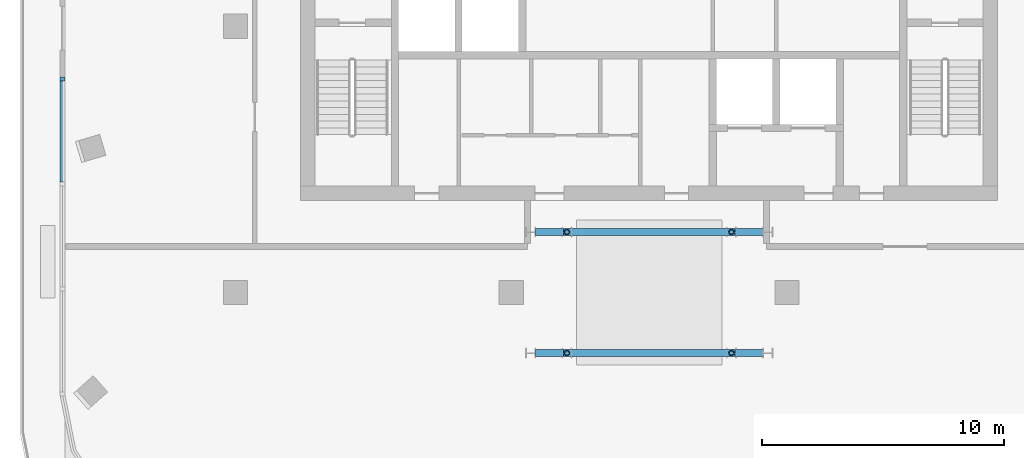
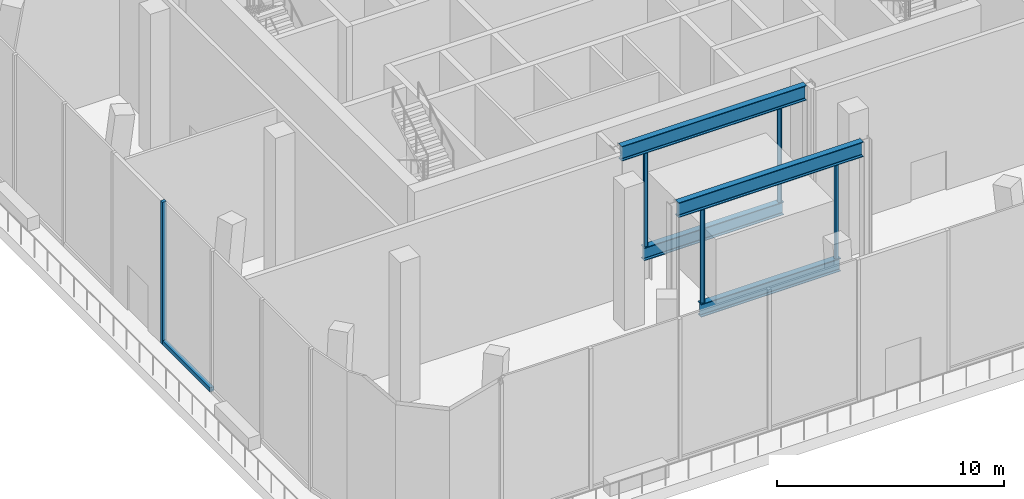
# One storey, part 2 of 13: 6 members, 4 beams, 1 element without a shape of its own.
"""IFC4 building model written with IfcOpenShell, lengths in metres."""

from ifc_helpers import new_model, si_unit, direction, frame, origin, origin_2d, place, context, subcontext, project, spatial, rectangle, hollow_circle, i_section, extrude, material, material_profile, profile_set, type_object, element, aggregate, save


model = new_model("IFC4")

# Units and contexts
model_context = context("Model", 3, precision=1e-05, world=origin(), true_north=direction((0.0, 1.0)))
body_context = subcontext(model_context, "Body", "Model", "MODEL_VIEW")
ifc_project = project(units=[si_unit("LENGTHUNIT", "METRE"), si_unit("AREAUNIT", "SQUARE_METRE"), si_unit("VOLUMEUNIT", "CUBIC_METRE"), si_unit("PLANEANGLEUNIT", "RADIAN"), si_unit("MASSUNIT", "GRAM", prefix="KILO")], contexts=[model_context])

# Site, building, storey
site_placement = place(None, origin())
site = spatial("IfcSite", under=ifc_project, at=site_placement, CompositionType="ELEMENT")
building_placement = place(site_placement, origin())
building = spatial("IfcBuilding", under=site, at=building_placement, Name="Mopane Tessera Tower", CompositionType="ELEMENT")
storey_placement = place(building_placement, frame((0.0, 0.0, 337.39990234375)))
storey = spatial("IfcBuildingStorey", under=building, at=storey_placement, Name="L74", CompositionType="ELEMENT", Elevation=337.39990234375)

# Curtain wall, members
ifc_material_1 = material(Name="Aluminium frame", Category="aluminium")
curtain_wall_type = type_object("IfcCurtainWallType", Name="Damper floor unitised wall", PredefinedType="NOTDEFINED", material=ifc_material_1)
curtain_wall_placement = place(storey_placement, origin())
curtain_wall = element("IfcCurtainWall", 1, at=curtain_wall_placement, inside=storey, type_object=curtain_wall_type, Name="e:cw:L74:W:4", PredefinedType="NOTDEFINED")
ifc_material_2 = material(Name="Aluminium frame", Category="aluminium")
ifc_material_profile_1 = material_profile(ifc_material_2, rectangle(XDim=0.159912109375, YDim=0.199951171875, at=origin_2d()))
ifc_profile_set_1 = profile_set([ifc_material_profile_1], Name="Aluminium frame")
member_type_1 = type_object("IfcMemberType", Name="Aluminium mullion 160 x 200", PredefinedType="MULLION", material=ifc_profile_set_1)
member_1_placement = place(storey_placement, frame((-24.25, -2.17138671875, 0.0), z_axis=(0.0, 0.0, 1.0), x_axis=(0.0, -1.0, 0.0)))
member_1 = element("IfcMember", 2, at=member_1_placement, type_object=member_type_1, Name="e:cw:L74:W:4:mu4", PredefinedType="MULLION", context=body_context, shape_type="SweptSolid", body=[
    extrude(rectangle(XDim=0.159912109375, YDim=0.199951171875, at=origin_2d()), origin(), (0.0, 0.0, 1.0), 7.650146484375),
])
ifc_material_3 = material(Name="Aluminium frame", Category="aluminium")
ifc_material_profile_2 = material_profile(ifc_material_3, rectangle(XDim=0.199951171875, YDim=0.219970703125, at=origin_2d()))
ifc_profile_set_2 = profile_set([ifc_material_profile_2], Name="Aluminium frame")
member_type_2 = type_object("IfcMemberType", Name="Aluminium transom 200 x 220", PredefinedType="USERDEFINED", material=ifc_profile_set_2)
member_2_placement = place(storey_placement, frame((-24.25, -2.25146484375, 0.110107421875), z_axis=(0.0, -1.0, 0.0), x_axis=(1.0, 0.0, 0.0)))
member_2 = element("IfcMember", 3, at=member_2_placement, type_object=member_type_2, Name="e:cw:L74:W:4:tr4", ObjectType="TRANSOM", PredefinedType="USERDEFINED", context=body_context, shape_type="SweptSolid", body=[
    extrude(rectangle(XDim=0.199951171875, YDim=0.219970703125, at=origin_2d()), origin(), (0.0, 0.0, 1.0), 4.182861328125),
])
aggregate(curtain_wall, [member_1, member_2])

# Beams
ifc_material_4 = material(Name="Structural steel S460", Category="steel")
ifc_material_profile_3 = material_profile(ifc_material_4, i_section(OverallWidth=0.300048828125, OverallDepth=0.699951171875, WebThickness=0.01708984375, FlangeThickness=0.031982421875, FilletRadius=0.027099609375, at=origin_2d()))
ifc_profile_set_3 = profile_set([ifc_material_profile_3], Name="Structural steel S460")
beam_type_1 = type_object("IfcBeamType", Name="Damper cradle beam HE 700 B", PredefinedType="BEAM", material=ifc_profile_set_3)
for number, where, z_axis, x_axis, name in (
    (4, (-3.550048828125, -13.5, 1.4501953125), (1.0, 0.0, 0.0), (0.0, 1.0, 0.0), "Damper cradle beam 1"),
    (5, (-3.550048828125, -8.5, 1.4501953125), (1.0, 0.0, 0.0), (0.0, 1.0, 0.0), "Damper cradle beam 2"),
):
    element("IfcBeam", number, at=place(storey_placement, frame(where, z_axis=z_axis, x_axis=x_axis)), inside=storey, type_object=beam_type_1, Name=name, PredefinedType="BEAM", context=body_context, shape_type="SweptSolid", body=[
        extrude(i_section(OverallWidth=0.300048828125, OverallDepth=0.699951171875, WebThickness=0.01708984375, FlangeThickness=0.031982421875, FilletRadius=0.027099609375, at=origin_2d()), origin(), (0.0, 0.0, 1.0), 7.10009765625),
    ])

# Members
ifc_material_5 = material(Name="Structural steel S460", Category="steel")
ifc_material_profile_4 = material_profile(ifc_material_5, hollow_circle(Radius=0.109619140625, WallThickness=0.012451171875, at=origin_2d()))
ifc_profile_set_4 = profile_set([ifc_material_profile_4], Name="Structural steel S460")
member_type_3 = type_object("IfcMemberType", Name="Damper hanger rod CHS 219.1 x 12.5", PredefinedType="MEMBER", material=ifc_profile_set_4)
for number, where, z_axis, x_axis, name in (
    (6, (-3.39990234375, -13.5, 1.800048828125), (0.0, 0.0, 1.0), (1.0, 0.0, 0.0), "Damper hanger rod 1"),
    (7, (-3.39990234375, -8.5, 1.800048828125), (0.0, 0.0, 1.0), (1.0, 0.0, 0.0), "Damper hanger rod 2"),
    (8, (3.39990234375, -13.5, 1.800048828125), (0.0, 0.0, 1.0), (1.0, 0.0, 0.0), "Damper hanger rod 3"),
    (9, (3.39990234375, -8.5, 1.800048828125), (0.0, 0.0, 1.0), (1.0, 0.0, 0.0), "Damper hanger rod 4"),
):
    element("IfcMember", number, at=place(storey_placement, frame(where, z_axis=z_axis, x_axis=x_axis)), inside=storey, type_object=member_type_3, Name=name, PredefinedType="MEMBER", context=body_context, shape_type="SweptSolid", body=[
        extrude(hollow_circle(Radius=0.109619140625, WallThickness=0.012451171875, at=origin_2d()), origin(), (0.0, 0.0, 1.0), 5.050048828125),
    ])

# Beams
ifc_material_6 = material(Name="Structural steel S460", Category="steel")
ifc_material_profile_5 = material_profile(ifc_material_6, i_section(OverallWidth=0.300048828125, OverallDepth=0.800048828125, WebThickness=0.017578125, FlangeThickness=0.032958984375, FilletRadius=0.030029296875, at=origin_2d()))
ifc_profile_set_5 = profile_set([ifc_material_profile_5], Name="Structural steel S460")
beam_type_2 = type_object("IfcBeamType", Name="Damper support girder HE 800 B", PredefinedType="BEAM", material=ifc_profile_set_5)
for number, where, z_axis, x_axis, name in (
    (10, (-4.695068359375, -13.5, 7.25), (1.0, 0.0, 0.0), (0.0, 1.0, 0.0), "Damper support girder 1"),
    (11, (-4.695068359375, -8.5, 7.25), (1.0, 0.0, 0.0), (0.0, 1.0, 0.0), "Damper support girder 2"),
):
    element("IfcBeam", number, at=place(storey_placement, frame(where, z_axis=z_axis, x_axis=x_axis)), inside=storey, type_object=beam_type_2, Name=name, PredefinedType="BEAM", context=body_context, shape_type="SweptSolid", body=[
        extrude(i_section(OverallWidth=0.300048828125, OverallDepth=0.800048828125, WebThickness=0.017578125, FlangeThickness=0.032958984375, FilletRadius=0.030029296875, at=origin_2d()), origin(), (0.0, 0.0, 1.0), 9.39013671875),
    ])

save(model, "model.ifc")
